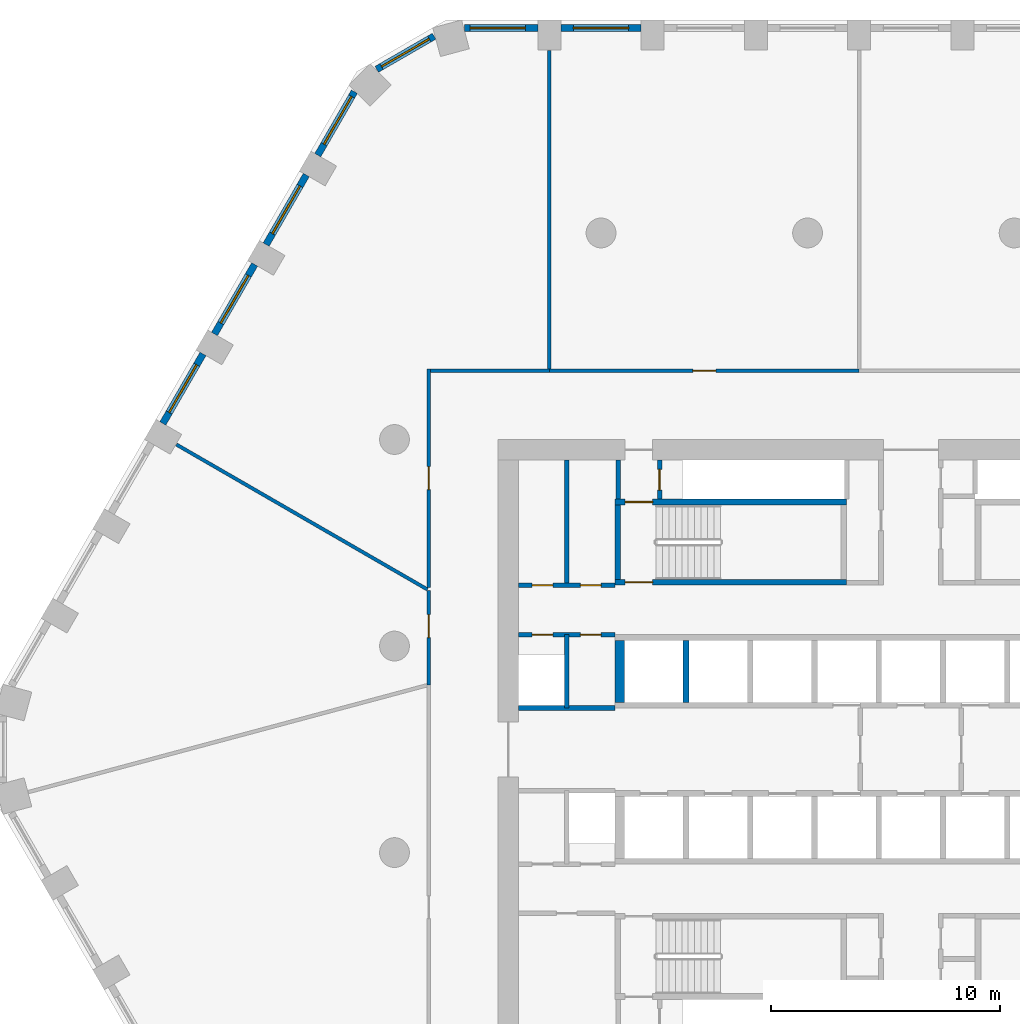
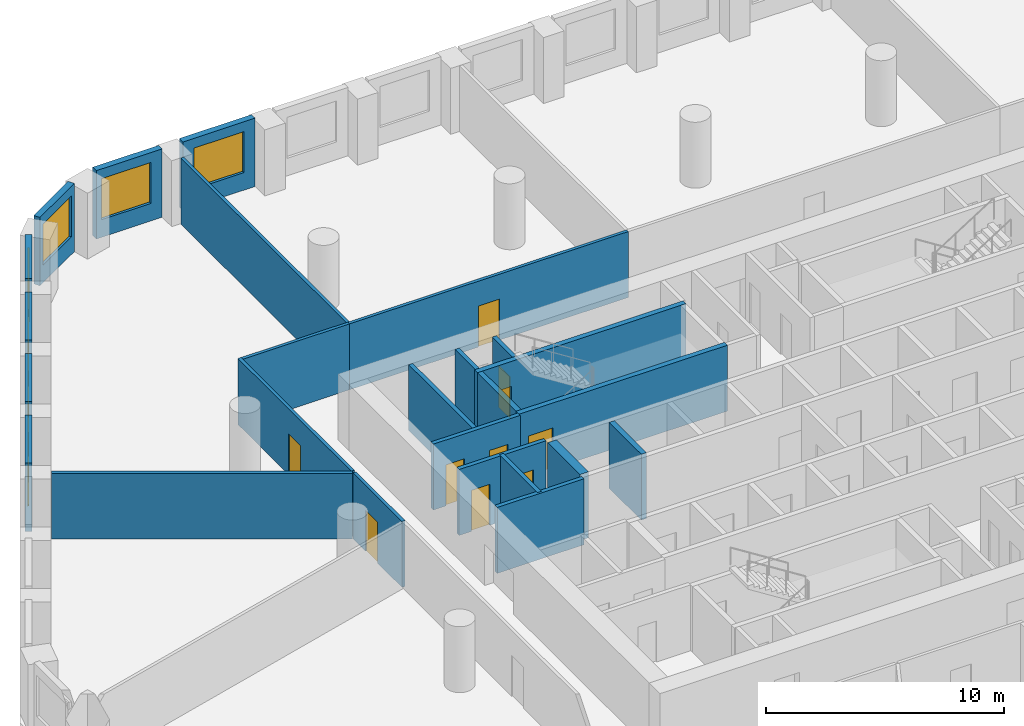
# One storey, part 5 of 9: 25 walls, 10 doors, 7 windows, 17 openings.
"""IFC4 building model written with IfcOpenShell, lengths in metres."""

from ifc_helpers import new_model, si_unit, direction, frame, frame_2d, origin, place, context, subcontext, project, spatial, polyline, rectangle, outline, extrude, material, layer, layer_set, type_object, element, fill, save


model = new_model("IFC4")

# Units and contexts
model_context = context("Model", 3, precision=1e-05, world=origin(), true_north=direction((0.0, 1.0)))
body_context = subcontext(model_context, "Body", "Model", "MODEL_VIEW")
ifc_project = project(units=[si_unit("LENGTHUNIT", "METRE"), si_unit("AREAUNIT", "SQUARE_METRE"), si_unit("VOLUMEUNIT", "CUBIC_METRE"), si_unit("PLANEANGLEUNIT", "RADIAN"), si_unit("MASSUNIT", "GRAM", prefix="KILO")], contexts=[model_context])

# Site, building, storey
site_placement = place(None, origin())
site = spatial("IfcSite", under=ifc_project, at=site_placement, CompositionType="ELEMENT")
building_placement = place(site_placement, origin())
building = spatial("IfcBuilding", under=site, at=building_placement, Name="Dhurran Vertical Campus", CompositionType="ELEMENT")
storey_placement = place(building_placement, frame((0.0, 0.0, 124.199951171875)))
storey = spatial("IfcBuildingStorey", under=building, at=storey_placement, Name="L30", CompositionType="ELEMENT", Elevation=124.199951171875)

# Wall, opening, window
ifc_material_1 = material(Name="Precast concrete C50/60", Category="concrete")
ifc_layer_1 = layer(ifc_material_1, 0.300048828125)
ifc_layer_set_1 = layer_set([ifc_layer_1], Name="Precast concrete C50/60")
wall_type_1 = type_object("IfcWallType", Name="Precast spandrel wall 300", PredefinedType="SOLIDWALL", material=ifc_layer_set_1)
wall_1_placement = place(storey_placement, frame((-11.75048828125, 31.4296875, 0.0), z_axis=(0.0, 0.0, 1.0), x_axis=(-1.0, 0.0, 0.0)))
wall_1 = element("IfcWall", 1, at=wall_1_placement, inside=storey, type_object=wall_type_1, Name="EW1 L30.33", PredefinedType="SOLIDWALL", context=body_context, shape_type="SweptSolid", body=[
    extrude(rectangle(XDim=3.4990234375, YDim=0.300048828125, at=frame_2d((1.74951171875, 0.0))), origin(), (0.0, 0.0, 1.0), 3.5),
])
opening_1_placement = place(wall_1_placement, frame((0.549560546875, 0.0, 0.89990234375)))
opening_1 = element("IfcOpeningElement", 2, at=opening_1_placement, cuts=wall_1, Name="Opening WT1", PredefinedType="OPENING", context=body_context, shape_type="SweptSolid", body=[
    extrude(rectangle(XDim=2.39990234375, YDim=2.10009765625, at=frame_2d((1.199951171875, 1.050048828125))), frame((0.0, 0.159912109375, 0.0), z_axis=(0.0, -1.0, 0.0), x_axis=(1.0, 0.0, 0.0)), (0.0, 0.0, 1.0), 0.320068359375),
])
ifc_material_2 = material(Name="Aluminium frame with solar-control glass", Category="aluminium")
window_type = type_object("IfcWindowType", Name="Punched window 2400 x 2100", PartitioningType="SINGLE_PANEL", PredefinedType="WINDOW", material=ifc_material_2)
window_1_placement = place(opening_1_placement, origin())
window_1 = element("IfcWindow", 3, at=window_1_placement, inside=storey, type_object=window_type, Name="WT1 L30.33", OverallHeight=2.10009765625, OverallWidth=2.39990234375, PartitioningType="SINGLE_PANEL", PredefinedType="WINDOW", context=body_context, shape_type="SweptSolid", body=[
    extrude(rectangle(XDim=2.39990234375, YDim=2.10009765625, at=frame_2d((1.199951171875, 1.050048828125))), frame((0.0, 0.030029296875, 0.0), z_axis=(0.0, -1.0, 0.0), x_axis=(1.0, 0.0, 0.0)), (0.0, 0.0, 1.0), 0.06005859375),
])
fill(opening_1, window_1)

wall_2_placement = place(storey_placement, frame((-16.25048828125, 31.4296875, 0.0), z_axis=(0.0, 0.0, 1.0), x_axis=(-1.0, 0.0, 0.0)))
wall_2 = element("IfcWall", 4, at=wall_2_placement, inside=storey, type_object=wall_type_1, Name="EW1 L30.34", PredefinedType="SOLIDWALL", context=body_context, shape_type="SweptSolid", body=[
    extrude(rectangle(XDim=3.1923828125, YDim=0.300048828125, at=frame_2d((1.59619140625, 0.0))), origin(), (0.0, 0.0, 1.0), 3.5),
])
opening_2_placement = place(wall_2_placement, frame((0.549560546875, 0.0, 0.89990234375)))
opening_2 = element("IfcOpeningElement", 5, at=opening_2_placement, cuts=wall_2, Name="Opening WT1", PredefinedType="OPENING", context=body_context, shape_type="SweptSolid", body=[
    extrude(rectangle(XDim=2.39990234375, YDim=2.10009765625, at=frame_2d((1.199951171875, 1.050048828125))), frame((0.0, 0.159912109375, 0.0), z_axis=(0.0, -1.0, 0.0), x_axis=(1.0, 0.0, 0.0)), (0.0, 0.0, 1.0), 0.320068359375),
])
window_2_placement = place(opening_2_placement, origin())
window_2 = element("IfcWindow", 6, at=window_2_placement, inside=storey, type_object=window_type, Name="WT1 L30.34", OverallHeight=2.10009765625, OverallWidth=2.39990234375, PartitioningType="SINGLE_PANEL", PredefinedType="WINDOW", context=body_context, shape_type="SweptSolid", body=[
    extrude(rectangle(XDim=2.39990234375, YDim=2.10009765625, at=frame_2d((1.199951171875, 1.050048828125))), frame((0.0, 0.030029296875, 0.0), z_axis=(0.0, -1.0, 0.0), x_axis=(1.0, 0.0, 0.0)), (0.0, 0.0, 1.0), 0.06005859375),
])
fill(opening_2, window_2)

wall_3_placement = place(storey_placement, frame((-20.774169921875, 31.072998046875, 0.0), z_axis=(0.0, 0.0, 1.0), x_axis=(-0.866053149362, -0.49995194017, 0.0)))
wall_3 = element("IfcWall", 7, at=wall_3_placement, inside=storey, type_object=wall_type_1, Name="EW1 L30.35", PredefinedType="SOLIDWALL", context=body_context, shape_type="SweptSolid", body=[
    extrude(rectangle(XDim=2.885498046875, YDim=0.300048828125, at=frame_2d((1.44287109375, 0.0))), origin(), (0.0, 0.0, 1.0), 3.5),
])
opening_3_placement = place(wall_3_placement, frame((0.242919921875, 0.0, 0.89990234375)))
opening_3 = element("IfcOpeningElement", 8, at=opening_3_placement, cuts=wall_3, Name="Opening WT1", PredefinedType="OPENING", context=body_context, shape_type="SweptSolid", body=[
    extrude(rectangle(XDim=2.39990234375, YDim=2.10009765625, at=frame_2d((1.199951171875, 1.050048828125))), frame((0.0, 0.159912109375, 0.0), z_axis=(0.0, -1.0, 0.0), x_axis=(1.0, 0.0, 0.0)), (0.0, 0.0, 1.0), 0.320068359375),
])
window_3_placement = place(opening_3_placement, origin())
window_3 = element("IfcWindow", 9, at=window_3_placement, inside=storey, type_object=window_type, Name="WT1 L30.35", OverallHeight=2.10009765625, OverallWidth=2.39990234375, PartitioningType="SINGLE_PANEL", PredefinedType="WINDOW", context=body_context, shape_type="SweptSolid", body=[
    extrude(rectangle(XDim=2.39990234375, YDim=2.10009765625, at=frame_2d((1.199951171875, 1.050048828125))), frame((0.0, 0.030029296875, 0.0), z_axis=(0.0, -1.0, 0.0), x_axis=(1.0, 0.0, 0.0)), (0.0, 0.0, 1.0), 0.06005859375),
])
fill(opening_3, window_3)

wall_4_placement = place(storey_placement, frame((-24.24755859375, 28.65576171875, 0.0), z_axis=(0.0, 0.0, 1.0), x_axis=(-0.500004907028, -0.866022570692, 0.0)))
wall_4 = element("IfcWall", 10, at=wall_4_placement, inside=storey, type_object=wall_type_1, Name="EW1 L30.36", PredefinedType="SOLIDWALL", context=body_context, shape_type="SweptSolid", body=[
    extrude(rectangle(XDim=3.1923828125, YDim=0.300048828125, at=frame_2d((1.59619140625, 0.0))), origin(), (0.0, 0.0, 1.0), 3.5),
])
opening_4_placement = place(wall_4_placement, frame((0.242919921875, 0.0, 0.89990234375)))
opening_4 = element("IfcOpeningElement", 11, at=opening_4_placement, cuts=wall_4, Name="Opening WT1", PredefinedType="OPENING", context=body_context, shape_type="SweptSolid", body=[
    extrude(rectangle(XDim=2.39990234375, YDim=2.10009765625, at=frame_2d((1.199951171875, 1.050048828125))), frame((0.0, 0.159912109375, 0.0), z_axis=(0.0, -1.0, 0.0), x_axis=(1.0, 0.0, 0.0)), (0.0, 0.0, 1.0), 0.320068359375),
])
window_4_placement = place(opening_4_placement, origin())
window_4 = element("IfcWindow", 12, at=window_4_placement, inside=storey, type_object=window_type, Name="WT1 L30.36", OverallHeight=2.10009765625, OverallWidth=2.39990234375, PartitioningType="SINGLE_PANEL", PredefinedType="WINDOW", context=body_context, shape_type="SweptSolid", body=[
    extrude(rectangle(XDim=2.39990234375, YDim=2.10009765625, at=frame_2d((1.199951171875, 1.050048828125))), frame((0.0, 0.030029296875, 0.0), z_axis=(0.0, -1.0, 0.0), x_axis=(1.0, 0.0, 0.0)), (0.0, 0.0, 1.0), 0.06005859375),
])
fill(opening_4, window_4)

wall_5_placement = place(storey_placement, frame((-26.34423828125, 25.024169921875, 0.0), z_axis=(0.0, 0.0, 1.0), x_axis=(-0.499996256241, -0.866027565234, 0.0)))
wall_5 = element("IfcWall", 13, at=wall_5_placement, inside=storey, type_object=wall_type_1, Name="EW1 L30.37", PredefinedType="SOLIDWALL", context=body_context, shape_type="SweptSolid", body=[
    extrude(rectangle(XDim=3.4990234375, YDim=0.300048828125, at=frame_2d((1.74951171875, 0.0))), origin(), (0.0, 0.0, 1.0), 3.5),
])
opening_5_placement = place(wall_5_placement, frame((0.549560546875, 0.0, 0.89990234375)))
opening_5 = element("IfcOpeningElement", 14, at=opening_5_placement, cuts=wall_5, Name="Opening WT1", PredefinedType="OPENING", context=body_context, shape_type="SweptSolid", body=[
    extrude(rectangle(XDim=2.39990234375, YDim=2.10009765625, at=frame_2d((1.199951171875, 1.050048828125))), frame((0.0, 0.159912109375, 0.0), z_axis=(0.0, -1.0, 0.0), x_axis=(1.0, 0.0, 0.0)), (0.0, 0.0, 1.0), 0.320068359375),
])
window_5_placement = place(opening_5_placement, origin())
window_5 = element("IfcWindow", 15, at=window_5_placement, inside=storey, type_object=window_type, Name="WT1 L30.37", OverallHeight=2.10009765625, OverallWidth=2.39990234375, PartitioningType="SINGLE_PANEL", PredefinedType="WINDOW", context=body_context, shape_type="SweptSolid", body=[
    extrude(rectangle(XDim=2.39990234375, YDim=2.10009765625, at=frame_2d((1.199951171875, 1.050048828125))), frame((0.0, 0.030029296875, 0.0), z_axis=(0.0, -1.0, 0.0), x_axis=(1.0, 0.0, 0.0)), (0.0, 0.0, 1.0), 0.06005859375),
])
fill(opening_5, window_5)

wall_6_placement = place(storey_placement, frame((-28.59423828125, 21.127197265625, 0.0), z_axis=(0.0, 0.0, 1.0), x_axis=(-0.499996256241, -0.866027565234, 0.0)))
wall_6 = element("IfcWall", 16, at=wall_6_placement, inside=storey, type_object=wall_type_1, Name="EW1 L30.38", PredefinedType="SOLIDWALL", context=body_context, shape_type="SweptSolid", body=[
    extrude(rectangle(XDim=3.4990234375, YDim=0.300048828125, at=frame_2d((1.74951171875, 0.0))), origin(), (0.0, 0.0, 1.0), 3.5),
])
opening_6_placement = place(wall_6_placement, frame((0.549560546875, 0.0, 0.89990234375)))
opening_6 = element("IfcOpeningElement", 17, at=opening_6_placement, cuts=wall_6, Name="Opening WT1", PredefinedType="OPENING", context=body_context, shape_type="SweptSolid", body=[
    extrude(rectangle(XDim=2.39990234375, YDim=2.10009765625, at=frame_2d((1.199951171875, 1.050048828125))), frame((0.0, 0.159912109375, 0.0), z_axis=(0.0, -1.0, 0.0), x_axis=(1.0, 0.0, 0.0)), (0.0, 0.0, 1.0), 0.320068359375),
])
window_6_placement = place(opening_6_placement, origin())
window_6 = element("IfcWindow", 18, at=window_6_placement, inside=storey, type_object=window_type, Name="WT1 L30.38", OverallHeight=2.10009765625, OverallWidth=2.39990234375, PartitioningType="SINGLE_PANEL", PredefinedType="WINDOW", context=body_context, shape_type="SweptSolid", body=[
    extrude(rectangle(XDim=2.39990234375, YDim=2.10009765625, at=frame_2d((1.199951171875, 1.050048828125))), frame((0.0, 0.030029296875, 0.0), z_axis=(0.0, -1.0, 0.0), x_axis=(1.0, 0.0, 0.0)), (0.0, 0.0, 1.0), 0.06005859375),
])
fill(opening_6, window_6)

wall_7_placement = place(storey_placement, frame((-30.84423828125, 17.22998046875, 0.0), z_axis=(0.0, 0.0, 1.0), x_axis=(-0.499996256241, -0.866027565234, 0.0)))
wall_7 = element("IfcWall", 19, at=wall_7_placement, inside=storey, type_object=wall_type_1, Name="EW1 L30.39", PredefinedType="SOLIDWALL", context=body_context, shape_type="SweptSolid", body=[
    extrude(rectangle(XDim=3.4990234375, YDim=0.300048828125, at=frame_2d((1.74951171875, 0.0))), origin(), (0.0, 0.0, 1.0), 3.5),
])
opening_7_placement = place(wall_7_placement, frame((0.549560546875, 0.0, 0.89990234375)))
opening_7 = element("IfcOpeningElement", 20, at=opening_7_placement, cuts=wall_7, Name="Opening WT1", PredefinedType="OPENING", context=body_context, shape_type="SweptSolid", body=[
    extrude(rectangle(XDim=2.39990234375, YDim=2.10009765625, at=frame_2d((1.199951171875, 1.050048828125))), frame((0.0, 0.159912109375, 0.0), z_axis=(0.0, -1.0, 0.0), x_axis=(1.0, 0.0, 0.0)), (0.0, 0.0, 1.0), 0.320068359375),
])
window_7_placement = place(opening_7_placement, origin())
window_7 = element("IfcWindow", 21, at=window_7_placement, inside=storey, type_object=window_type, Name="WT1 L30.39", OverallHeight=2.10009765625, OverallWidth=2.39990234375, PartitioningType="SINGLE_PANEL", PredefinedType="WINDOW", context=body_context, shape_type="SweptSolid", body=[
    extrude(rectangle(XDim=2.39990234375, YDim=2.10009765625, at=frame_2d((1.199951171875, 1.050048828125))), frame((0.0, 0.030029296875, 0.0), z_axis=(0.0, -1.0, 0.0), x_axis=(1.0, 0.0, 0.0)), (0.0, 0.0, 1.0), 0.06005859375),
])
fill(opening_7, window_7)

# Wall
ifc_material_3 = material(Name="Fire-rated masonry blockwork", Category="masonry")
ifc_layer_2 = layer(ifc_material_3, 0.199951171875)
ifc_layer_set_2 = layer_set([ifc_layer_2], Name="Fire-rated masonry blockwork")
wall_type_2 = type_object("IfcWallType", Name="co-FIRE-PARTITION-200", PredefinedType="PARTITIONING", material=ifc_layer_set_2)
wall_8_placement = place(storey_placement, frame((-12.75, 10.89990234375, 0.0), z_axis=(0.0, 0.0, 1.0), x_axis=(0.0, 1.0, 0.0)))
element("IfcWall", 22, at=wall_8_placement, inside=storey, type_object=wall_type_2, Name="Core partition pass-ST1-o L30", PredefinedType="PARTITIONING", context=body_context, shape_type="SweptSolid", body=[
    extrude(rectangle(XDim=1.7001953125, YDim=0.199951171875, at=frame_2d((0.85009765625, 0.0))), origin(), (0.0, 0.0, 1.0), 3.375),
])

# Wall, opening, door
wall_9_placement = place(storey_placement, frame((-10.949951171875, 10.89990234375, 0.0), z_axis=(0.0, 0.0, 1.0), x_axis=(0.0, 1.0, 0.0)))
wall_9 = element("IfcWall", 23, at=wall_9_placement, inside=storey, type_object=wall_type_2, Name="Core partition pass-ST1-i L30", PredefinedType="PARTITIONING", context=body_context, shape_type="SweptSolid", body=[
    extrude(rectangle(XDim=1.7001953125, YDim=0.199951171875, at=frame_2d((0.85009765625, 0.0))), origin(), (0.0, 0.0, 1.0), 3.375),
])
opening_8_placement = place(wall_9_placement, frame((0.39990234375, 0.0, 0.0)))
opening_8 = element("IfcOpeningElement", 24, at=opening_8_placement, cuts=wall_9, Name="Opening T08-C9", PredefinedType="OPENING", context=body_context, shape_type="SweptSolid", body=[
    extrude(rectangle(XDim=0.89990234375, YDim=2.10009765625, at=frame_2d((0.449951171875, 1.050048828125))), frame((0.0, 0.10986328125, 0.0), z_axis=(0.0, -1.0, 0.0), x_axis=(1.0, 0.0, 0.0)), (0.0, 0.0, 1.0), 0.219970703125),
])
ifc_material_4 = material(Name="Fire-rated timber door set", Category="wood")
door_type_1 = type_object("IfcDoorType", Name="co-D-ROOM 900x2100", OperationType="SINGLE_SWING_LEFT", PredefinedType="DOOR", material=ifc_material_4)
door_1_placement = place(opening_8_placement, origin())
door_1 = element("IfcDoor", 25, at=door_1_placement, inside=storey, type_object=door_type_1, Name="Riser room door L30", OperationType="SINGLE_SWING_LEFT", OverallHeight=2.10009765625, OverallWidth=0.89990234375, PredefinedType="DOOR", context=body_context, shape_type="SweptSolid", body=[
    extrude(rectangle(XDim=0.89990234375, YDim=2.10009765625, at=frame_2d((0.449951171875, 1.050048828125))), frame((0.0, 0.02490234375, 0.0), z_axis=(0.0, -1.0, 0.0), x_axis=(1.0, 0.0, 0.0)), (0.0, 0.0, 1.0), 0.050048828125),
])
fill(opening_8, door_1)

# Wall
wall_10_placement = place(storey_placement, frame((-15.0, 7.14990234375, 0.0), z_axis=(0.0, 0.0, 1.0), x_axis=(0.0, 1.0, 0.0)))
element("IfcWall", 26, at=wall_10_placement, inside=storey, type_object=wall_type_2, Name="Core partition en-NW-cut0 L30", PredefinedType="PARTITIONING", context=body_context, shape_type="SweptSolid", body=[
    extrude(rectangle(XDim=5.4501953125, YDim=0.199951171875, at=frame_2d((2.72509765625, 0.0))), origin(), (0.0, 0.0, 1.0), 3.375),
])

# Wall, openings, doors
wall_11_placement = place(storey_placement, frame((-17.10009765625, 7.14990234375, 0.0), z_axis=(0.0, 0.0, 1.0), x_axis=(1.0, 0.0, 0.0)))
wall_11 = element("IfcWall", 27, at=wall_11_placement, inside=storey, type_object=wall_type_2, Name="Core partition en-NW-w L30", PredefinedType="PARTITIONING", context=body_context, shape_type="SweptSolid", body=[
    extrude(rectangle(XDim=4.2001953125, YDim=0.199951171875, at=frame_2d((2.10009765625, 0.0))), origin(), (0.0, 0.0, 1.0), 3.375),
])
opening_9_placement = place(wall_11_placement, frame((0.60009765625, 0.0, 0.0)))
opening_9 = element("IfcOpeningElement", 28, at=opening_9_placement, cuts=wall_11, Name="Opening T08-C13", PredefinedType="OPENING", context=body_context, shape_type="SweptSolid", body=[
    extrude(rectangle(XDim=0.89990234375, YDim=2.10009765625, at=frame_2d((0.449951171875, 1.050048828125))), frame((0.0, 0.10986328125, 0.0), z_axis=(0.0, -1.0, 0.0), x_axis=(1.0, 0.0, 0.0)), (0.0, 0.0, 1.0), 0.219970703125),
])
opening_10_placement = place(wall_11_placement, frame((2.699951171875, 0.0, 0.0)))
opening_10 = element("IfcOpeningElement", 29, at=opening_10_placement, cuts=wall_11, Name="Opening T08-C14", PredefinedType="OPENING", context=body_context, shape_type="SweptSolid", body=[
    extrude(rectangle(XDim=0.89990234375, YDim=2.10009765625, at=frame_2d((0.449951171875, 1.050048828125))), frame((0.0, 0.10986328125, 0.0), z_axis=(0.0, -1.0, 0.0), x_axis=(1.0, 0.0, 0.0)), (0.0, 0.0, 1.0), 0.219970703125),
])
door_2_placement = place(opening_9_placement, origin())
door_2 = element("IfcDoor", 30, at=door_2_placement, inside=storey, type_object=door_type_1, Name="Server room door L30", OperationType="SINGLE_SWING_LEFT", OverallHeight=2.10009765625, OverallWidth=0.89990234375, PredefinedType="DOOR", context=body_context, shape_type="SweptSolid", body=[
    extrude(rectangle(XDim=0.89990234375, YDim=2.10009765625, at=frame_2d((0.449951171875, 1.050048828125))), frame((0.0, 0.02490234375, 0.0), z_axis=(0.0, -1.0, 0.0), x_axis=(1.0, 0.0, 0.0)), (0.0, 0.0, 1.0), 0.050048828125),
])
fill(opening_9, door_2)
door_3_placement = place(opening_10_placement, origin())
door_3 = element("IfcDoor", 31, at=door_3_placement, inside=storey, type_object=door_type_1, Name="Pantry door L30", OperationType="SINGLE_SWING_LEFT", OverallHeight=2.10009765625, OverallWidth=0.89990234375, PredefinedType="DOOR", context=body_context, shape_type="SweptSolid", body=[
    extrude(rectangle(XDim=0.89990234375, YDim=2.10009765625, at=frame_2d((0.449951171875, 1.050048828125))), frame((0.0, 0.02490234375, 0.0), z_axis=(0.0, -1.0, 0.0), x_axis=(1.0, 0.0, 0.0)), (0.0, 0.0, 1.0), 0.050048828125),
])
fill(opening_10, door_3)

# Wall
wall_12_placement = place(storey_placement, frame((-15.0, 1.800048828125, 0.0), z_axis=(0.0, 0.0, 1.0), x_axis=(0.0, 1.0, 0.0)))
element("IfcWall", 32, at=wall_12_placement, inside=storey, type_object=wall_type_2, Name="Core partition es-NW-cut0 L30", PredefinedType="PARTITIONING", context=body_context, shape_type="SweptSolid", body=[
    extrude(rectangle(XDim=3.199951171875, YDim=0.199951171875, at=frame_2d((1.60009765625, 0.0))), origin(), (0.0, 0.0, 1.0), 3.375),
])

# Wall, openings, doors
wall_13_placement = place(storey_placement, frame((-17.10009765625, 5.0, 0.0), z_axis=(0.0, 0.0, 1.0), x_axis=(1.0, 0.0, 0.0)))
wall_13 = element("IfcWall", 33, at=wall_13_placement, inside=storey, type_object=wall_type_2, Name="Core partition es-NW-w L30", PredefinedType="PARTITIONING", context=body_context, shape_type="SweptSolid", body=[
    extrude(rectangle(XDim=4.2001953125, YDim=0.199951171875, at=frame_2d((2.10009765625, 0.0))), origin(), (0.0, 0.0, 1.0), 3.375),
])
opening_11_placement = place(wall_13_placement, frame((0.60009765625, 0.0, 0.0)))
opening_11 = element("IfcOpeningElement", 34, at=opening_11_placement, cuts=wall_13, Name="Opening T08-C15", PredefinedType="OPENING", context=body_context, shape_type="SweptSolid", body=[
    extrude(rectangle(XDim=0.89990234375, YDim=2.10009765625, at=frame_2d((0.449951171875, 1.050048828125))), frame((0.0, 0.10986328125, 0.0), z_axis=(0.0, -1.0, 0.0), x_axis=(1.0, 0.0, 0.0)), (0.0, 0.0, 1.0), 0.219970703125),
])
opening_12_placement = place(wall_13_placement, frame((2.699951171875, 0.0, 0.0)))
opening_12 = element("IfcOpeningElement", 35, at=opening_12_placement, cuts=wall_13, Name="Opening T08-C16", PredefinedType="OPENING", context=body_context, shape_type="SweptSolid", body=[
    extrude(rectangle(XDim=0.89990234375, YDim=2.10009765625, at=frame_2d((0.449951171875, 1.050048828125))), frame((0.0, 0.10986328125, 0.0), z_axis=(0.0, -1.0, 0.0), x_axis=(1.0, 0.0, 0.0)), (0.0, 0.0, 1.0), 0.219970703125),
])
door_4_placement = place(opening_11_placement, origin())
door_4 = element("IfcDoor", 36, at=door_4_placement, inside=storey, type_object=door_type_1, Name="Water riser door L30", OperationType="SINGLE_SWING_LEFT", OverallHeight=2.10009765625, OverallWidth=0.89990234375, PredefinedType="DOOR", context=body_context, shape_type="SweptSolid", body=[
    extrude(rectangle(XDim=0.89990234375, YDim=2.10009765625, at=frame_2d((0.449951171875, 1.050048828125))), frame((0.0, 0.02490234375, 0.0), z_axis=(0.0, -1.0, 0.0), x_axis=(1.0, 0.0, 0.0)), (0.0, 0.0, 1.0), 0.050048828125),
])
fill(opening_11, door_4)
door_5_placement = place(opening_12_placement, origin())
door_5 = element("IfcDoor", 37, at=door_5_placement, inside=storey, type_object=door_type_1, Name="Print room door L30", OperationType="SINGLE_SWING_LEFT", OverallHeight=2.10009765625, OverallWidth=0.89990234375, PredefinedType="DOOR", context=body_context, shape_type="SweptSolid", body=[
    extrude(rectangle(XDim=0.89990234375, YDim=2.10009765625, at=frame_2d((0.449951171875, 1.050048828125))), frame((0.0, 0.02490234375, 0.0), z_axis=(0.0, -1.0, 0.0), x_axis=(1.0, 0.0, 0.0)), (0.0, 0.0, 1.0), 0.050048828125),
])
fill(opening_12, door_5)

# Walls
wall_14_placement = place(storey_placement, frame((-17.10009765625, 1.800048828125, 0.0), z_axis=(0.0, 0.0, 1.0), x_axis=(1.0, 0.0, 0.0)))
element("IfcWall", 38, at=wall_14_placement, inside=storey, type_object=wall_type_2, Name="Core partition es-NW-l L30", PredefinedType="PARTITIONING", context=body_context, shape_type="SweptSolid", body=[
    extrude(rectangle(XDim=4.2001953125, YDim=0.199951171875, at=frame_2d((2.10009765625, 0.0))), origin(), (0.0, 0.0, 1.0), 3.375),
])
ifc_material_5 = material(Name="Concrete C50/60", Category="concrete")
ifc_layer_3 = layer(ifc_material_5, 0.25)
ifc_layer_set_3 = layer_set([ifc_layer_3], Name="Concrete C50/60")
wall_type_3 = type_object("IfcWallType", Name="co-SHAFT-MASS-250", PredefinedType="SHEAR", material=ifc_layer_set_3)
wall_15_placement = place(storey_placement, origin())
element("IfcWall", 39, at=wall_15_placement, inside=storey, type_object=wall_type_3, Name="Lift shaft wall N L30 2", PredefinedType="SHEAR", context=body_context, shape_type="SweptSolid", body=[
    extrude(outline(polyline([(-12.89990234375, 2.050048828125), (-12.47509765625, 2.050048828125), (-12.47509765625, 4.75), (-12.89990234375, 4.75), (-12.89990234375, 2.050048828125)])), origin(), (0.0, 0.0, 1.0), 3.375),
])
wall_16_placement = place(storey_placement, origin())
element("IfcWall", 40, at=wall_16_placement, inside=storey, type_object=wall_type_3, Name="Lift shaft wall N L30 3", PredefinedType="SHEAR", context=body_context, shape_type="SweptSolid", body=[
    extrude(outline(polyline([(-9.925048828125, 2.050048828125), (-9.675048828125, 2.050048828125), (-9.675048828125, 4.75), (-9.925048828125, 4.75), (-9.925048828125, 2.050048828125)])), origin(), (0.0, 0.0, 1.0), 3.375),
])

# Wall, opening, door
ifc_material_6 = material(Name="Concrete C40/50", Category="concrete")
ifc_layer_4 = layer(ifc_material_6, 0.25)
ifc_layer_set_4 = layer_set([ifc_layer_4], Name="Concrete C40/50")
wall_type_4 = type_object("IfcWallType", Name="co-STAIR-WALL-250", PredefinedType="SHEAR", material=ifc_layer_set_4)
wall_17_placement = place(storey_placement, frame((-12.89990234375, 7.27490234375, 0.0), z_axis=(0.0, 0.0, 1.0), x_axis=(1.0, 0.0, 0.0)))
wall_17 = element("IfcWall", 41, at=wall_17_placement, inside=storey, type_object=wall_type_4, Name="Stair ST1 enclosure wall L30", PredefinedType="SHEAR", context=body_context, shape_type="SweptSolid", body=[
    extrude(rectangle(XDim=10.099853515625, YDim=0.25, at=frame_2d((5.0498046875, 0.0))), origin(), (0.0, 0.0, 1.0), 3.375),
])
opening_13_placement = place(wall_17_placement, frame((0.449951171875, 0.0, 0.0)))
opening_13 = element("IfcOpeningElement", 42, at=opening_13_placement, cuts=wall_17, Name="Opening SD1", PredefinedType="OPENING", context=body_context, shape_type="SweptSolid", body=[
    extrude(rectangle(XDim=1.199951171875, YDim=2.10009765625, at=frame_2d((0.60009765625, 1.050048828125))), frame((0.0, 0.135009765625, 0.0), z_axis=(0.0, -1.0, 0.0), x_axis=(1.0, 0.0, 0.0)), (0.0, 0.0, 1.0), 0.27001953125),
])
ifc_material_7 = material(Name="Fire-rated steel door set", Category="steel")
door_type_2 = type_object("IfcDoorType", Name="co-D-STAIR 1200x2100", OperationType="SINGLE_SWING_LEFT", PredefinedType="DOOR", material=ifc_material_7)
door_6_placement = place(opening_13_placement, origin())
door_6 = element("IfcDoor", 43, at=door_6_placement, inside=storey, type_object=door_type_2, Name="Stair ST1 door L30", OperationType="SINGLE_SWING_LEFT", OverallHeight=2.10009765625, OverallWidth=1.199951171875, PredefinedType="DOOR", context=body_context, shape_type="SweptSolid", body=[
    extrude(rectangle(XDim=1.199951171875, YDim=2.10009765625, at=frame_2d((0.60009765625, 1.050048828125))), frame((0.0, 0.02490234375, 0.0), z_axis=(0.0, -1.0, 0.0), x_axis=(1.0, 0.0, 0.0)), (0.0, 0.0, 1.0), 0.050048828125),
])
fill(opening_13, door_6)

wall_18_placement = place(storey_placement, frame((-12.89990234375, 10.77490234375, 0.0), z_axis=(0.0, 0.0, 1.0), x_axis=(1.0, 0.0, 0.0)))
wall_18 = element("IfcWall", 44, at=wall_18_placement, inside=storey, type_object=wall_type_4, Name="Stair ST1 enclosure wall L30", PredefinedType="SHEAR", context=body_context, shape_type="SweptSolid", body=[
    extrude(rectangle(XDim=10.099853515625, YDim=0.25, at=frame_2d((5.0498046875, 0.0))), origin(), (0.0, 0.0, 1.0), 3.375),
])
opening_14_placement = place(wall_18_placement, frame((0.449951171875, 0.0, 0.0)))
opening_14 = element("IfcOpeningElement", 45, at=opening_14_placement, cuts=wall_18, Name="Opening XS1", PredefinedType="OPENING", context=body_context, shape_type="SweptSolid", body=[
    extrude(rectangle(XDim=1.199951171875, YDim=2.10009765625, at=frame_2d((0.60009765625, 1.050048828125))), frame((0.0, 0.135009765625, 0.0), z_axis=(0.0, -1.0, 0.0), x_axis=(1.0, 0.0, 0.0)), (0.0, 0.0, 1.0), 0.27001953125),
])
ifc_material_8 = material(Name="Fire-rated steel door set", Category="steel")
door_type_3 = type_object("IfcDoorType", Name="co-D-STAIR-EXIT 1200x2100", OperationType="SINGLE_SWING_RIGHT", PredefinedType="DOOR", material=ifc_material_8)
door_7_placement = place(opening_14_placement, origin())
door_7 = element("IfcDoor", 46, at=door_7_placement, inside=storey, type_object=door_type_3, Name="Stair ST1 discharge door L30", OperationType="SINGLE_SWING_RIGHT", OverallHeight=2.10009765625, OverallWidth=1.199951171875, PredefinedType="DOOR", context=body_context, shape_type="SweptSolid", body=[
    extrude(rectangle(XDim=1.199951171875, YDim=2.10009765625, at=frame_2d((0.60009765625, 1.050048828125))), frame((0.0, 0.02490234375, 0.0), z_axis=(0.0, -1.0, 0.0), x_axis=(1.0, 0.0, 0.0)), (0.0, 0.0, 1.0), 0.050048828125),
])
fill(opening_14, door_7)

# Wall
wall_19_placement = place(storey_placement, frame((-12.77490234375, 7.39990234375, 0.0), z_axis=(0.0, 0.0, 1.0), x_axis=(0.0, 1.0, 0.0)))
element("IfcWall", 47, at=wall_19_placement, inside=storey, type_object=wall_type_4, Name="Stair ST1 enclosure wall L30", PredefinedType="SHEAR", context=body_context, shape_type="SweptSolid", body=[
    extrude(rectangle(XDim=3.25, YDim=0.25, at=frame_2d((1.625, 0.0))), origin(), (0.0, 0.0, 1.0), 3.375),
])

# Wall, opening, door
ifc_material_9 = material(Name="Gypsum board corridor wall on steel studs", Category="steel")
ifc_layer_5 = layer(ifc_material_9, 0.14990234375)
ifc_layer_set_5 = layer_set([ifc_layer_5], Name="Gypsum board corridor wall on steel studs")
wall_type_5 = type_object("IfcWallType", Name="fl-CW-150 corridor wall", PredefinedType="PARTITIONING", material=ifc_layer_set_5)
wall_20_placement = place(storey_placement, frame((-21.0, 6.927978515625, 0.0), z_axis=(0.0, 0.0, 1.0), x_axis=(0.0, -1.0, 0.0)))
wall_20 = element("IfcWall", 48, at=wall_20_placement, inside=storey, type_object=wall_type_5, Name="Partition 30-06", PredefinedType="PARTITIONING", context=body_context, shape_type="SweptSolid", body=[
    extrude(rectangle(XDim=4.114990234375, YDim=0.14990234375, at=frame_2d((2.0576171875, 0.0))), origin(), (0.0, 0.0, 1.0), 3.375),
])
opening_15_placement = place(wall_20_placement, frame((1.0576171875, 0.0, 0.0)))
opening_15 = element("IfcOpeningElement", 49, at=opening_15_placement, cuts=wall_20, Name="Opening T08.01", PredefinedType="OPENING", context=body_context, shape_type="SweptSolid", body=[
    extrude(rectangle(XDim=1.0, YDim=2.10009765625, at=frame_2d((0.5, 1.050048828125))), frame((0.0, 0.0849609375, 0.0), z_axis=(0.0, -1.0, 0.0), x_axis=(1.0, 0.0, 0.0)), (0.0, 0.0, 1.0), 0.169921875),
])
ifc_material_10 = material(Name="Solid-core timber door set, fire-rated", Category="wood")
door_type_4 = type_object("IfcDoorType", Name="fl-D-1000x2100", OperationType="SINGLE_SWING_LEFT", PredefinedType="DOOR", material=ifc_material_10)
door_8_placement = place(opening_15_placement, origin())
door_8 = element("IfcDoor", 50, at=door_8_placement, inside=storey, type_object=door_type_4, Name="Door 30.01", OperationType="SINGLE_SWING_LEFT", OverallHeight=2.10009765625, OverallWidth=1.0, PredefinedType="DOOR", context=body_context, shape_type="SweptSolid", body=[
    extrude(rectangle(XDim=1.0, YDim=2.10009765625, at=frame_2d((0.5, 1.050048828125))), frame((0.0, 0.02490234375, 0.0), z_axis=(0.0, -1.0, 0.0), x_axis=(1.0, 0.0, 0.0)), (0.0, 0.0, 1.0), 0.050048828125),
])
fill(opening_15, door_8)

wall_21_placement = place(storey_placement, frame((-21.0, 16.574951171875, 0.0), z_axis=(0.0, 0.0, 1.0), x_axis=(0.0, -1.0, 0.0)))
wall_21 = element("IfcWall", 51, at=wall_21_placement, inside=storey, type_object=wall_type_5, Name="Partition 30-07", PredefinedType="PARTITIONING", context=body_context, shape_type="SweptSolid", body=[
    extrude(rectangle(XDim=9.516845703125, YDim=0.14990234375, at=frame_2d((4.75830078125, 0.0))), origin(), (0.0, 0.0, 1.0), 3.375),
])
opening_16_placement = place(wall_21_placement, frame((4.258544921875, 0.0, 0.0)))
opening_16 = element("IfcOpeningElement", 52, at=opening_16_placement, cuts=wall_21, Name="Opening T08.03", PredefinedType="OPENING", context=body_context, shape_type="SweptSolid", body=[
    extrude(rectangle(XDim=1.0, YDim=2.10009765625, at=frame_2d((0.5, 1.050048828125))), frame((0.0, 0.0849609375, 0.0), z_axis=(0.0, -1.0, 0.0), x_axis=(1.0, 0.0, 0.0)), (0.0, 0.0, 1.0), 0.169921875),
])
door_9_placement = place(opening_16_placement, origin())
door_9 = element("IfcDoor", 53, at=door_9_placement, inside=storey, type_object=door_type_4, Name="Door 30.03", OperationType="SINGLE_SWING_RIGHT", OverallHeight=2.10009765625, OverallWidth=1.0, PredefinedType="DOOR", context=body_context, shape_type="SweptSolid", body=[
    extrude(rectangle(XDim=1.0, YDim=2.10009765625, at=frame_2d((0.5, 1.050048828125))), frame((0.0, 0.02490234375, 0.0), z_axis=(0.0, -1.0, 0.0), x_axis=(1.0, 0.0, 0.0)), (0.0, 0.0, 1.0), 0.050048828125),
])
fill(opening_16, door_9)

# Wall
wall_22_placement = place(storey_placement, frame((-15.75, 16.5, 0.0), z_axis=(0.0, 0.0, 1.0), x_axis=(-1.0, 0.0, 0.0)))
element("IfcWall", 54, at=wall_22_placement, inside=storey, type_object=wall_type_5, Name="Partition 30-08", PredefinedType="PARTITIONING", context=body_context, shape_type="SweptSolid", body=[
    extrude(rectangle(XDim=5.175048828125, YDim=0.14990234375, at=frame_2d((2.58740234375, 0.0))), origin(), (0.0, 0.0, 1.0), 3.375),
])

# Wall, opening, door
wall_23_placement = place(storey_placement, frame((-2.25, 16.5, 0.0), z_axis=(0.0, 0.0, 1.0), x_axis=(-1.0, 0.0, 0.0)))
wall_23 = element("IfcWall", 55, at=wall_23_placement, inside=storey, type_object=wall_type_5, Name="Partition 30-11", PredefinedType="PARTITIONING", context=body_context, shape_type="SweptSolid", body=[
    extrude(rectangle(XDim=13.5, YDim=0.14990234375, at=frame_2d((6.75, 0.0))), origin(), (0.0, 0.0, 1.0), 3.375),
])
opening_17_placement = place(wall_23_placement, frame((6.25, 0.0, 0.0)))
opening_17 = element("IfcOpeningElement", 56, at=opening_17_placement, cuts=wall_23, Name="Opening T08.06", PredefinedType="OPENING", context=body_context, shape_type="SweptSolid", body=[
    extrude(rectangle(XDim=1.0, YDim=2.10009765625, at=frame_2d((0.5, 1.050048828125))), frame((0.0, 0.0849609375, 0.0), z_axis=(0.0, -1.0, 0.0), x_axis=(1.0, 0.0, 0.0)), (0.0, 0.0, 1.0), 0.169921875),
])
door_10_placement = place(opening_17_placement, origin())
door_10 = element("IfcDoor", 57, at=door_10_placement, inside=storey, type_object=door_type_4, Name="Door 30.06", OperationType="SINGLE_SWING_LEFT", OverallHeight=2.10009765625, OverallWidth=1.0, PredefinedType="DOOR", context=body_context, shape_type="SweptSolid", body=[
    extrude(rectangle(XDim=1.0, YDim=2.10009765625, at=frame_2d((0.5, 1.050048828125))), frame((0.0, 0.02490234375, 0.0), z_axis=(0.0, -1.0, 0.0), x_axis=(1.0, 0.0, 0.0)), (0.0, 0.0, 1.0), 0.050048828125),
])
fill(opening_17, door_10)

# Walls
ifc_material_11 = material(Name="Gypsum board partition on steel studs", Category="steel")
ifc_layer_6 = layer(ifc_material_11, 0.14990234375)
ifc_layer_set_6 = layer_set([ifc_layer_6], Name="Gypsum board partition on steel studs")
wall_type_6 = type_object("IfcWallType", Name="fl-PW-150 fixed partition", PredefinedType="PARTITIONING", material=ifc_layer_set_6)
wall_24_placement = place(storey_placement, frame((-32.00390625, 13.28125, 0.0), z_axis=(0.0, 0.0, 1.0), x_axis=(0.866023362995, -0.500003534735, 0.0)))
element("IfcWall", 58, at=wall_24_placement, inside=storey, type_object=wall_type_6, Name="Partition 30-02", PredefinedType="PARTITIONING", context=body_context, shape_type="SweptSolid", body=[
    extrude(rectangle(XDim=12.63134765625, YDim=0.14990234375, at=frame_2d((6.315673828125, 0.0))), origin(), (0.0, 0.0, 1.0), 3.375),
])
wall_25_placement = place(storey_placement, frame((-15.75, 30.459716796875, 0.0), z_axis=(0.0, 0.0, 1.0), x_axis=(0.0, -1.0, 0.0)))
element("IfcWall", 59, at=wall_25_placement, inside=storey, type_object=wall_type_6, Name="Partition 30-10", PredefinedType="PARTITIONING", context=body_context, shape_type="SweptSolid", body=[
    extrude(rectangle(XDim=13.884765625, YDim=0.14990234375, at=frame_2d((6.9423828125, 0.0))), origin(), (0.0, 0.0, 1.0), 3.375),
])

save(model, "model.ifc")
